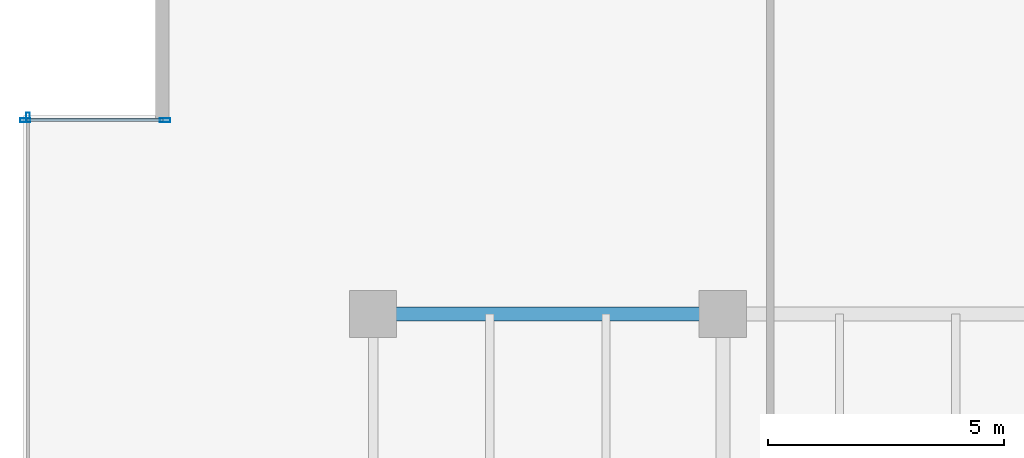
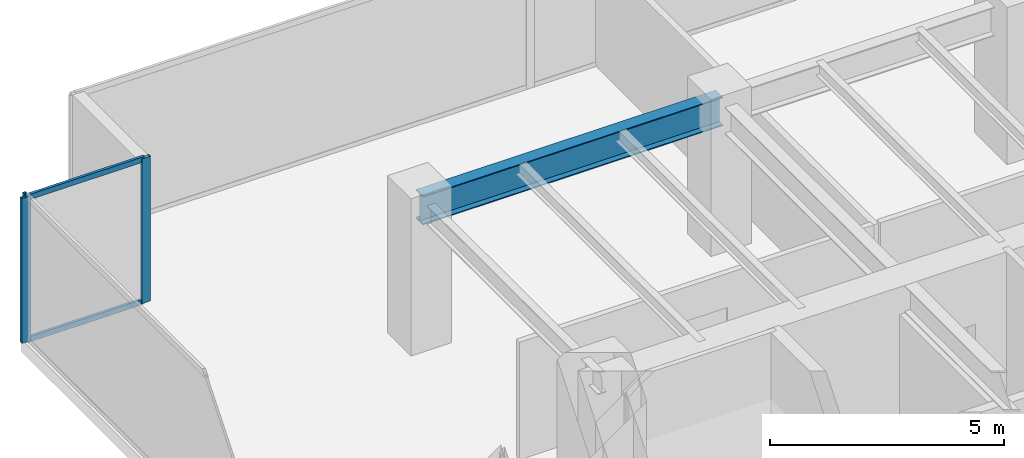
# One storey, part 12 of 35: 5 members, 1 beam, 2 elements without a shape of their own.
"""IFC4 building model written with IfcOpenShell, lengths in metres."""

from ifc_helpers import new_model, si_unit, direction, frame, origin, origin_2d, place, context, subcontext, project, spatial, hollow_rectangle, i_section, extrude, source, transform, mapped, material, layer, layer_set, material_profile, profile_set, type_object, type_shapes, element, aggregate, save


model = new_model("IFC4")

# Units and contexts
model_context = context("Model", 3, precision=1e-05, world=origin(), true_north=direction((0.0, 1.0)))
body_context = subcontext(model_context, "Body", "Model", "MODEL_VIEW")
ifc_project = project(units=[si_unit("LENGTHUNIT", "METRE"), si_unit("AREAUNIT", "SQUARE_METRE"), si_unit("VOLUMEUNIT", "CUBIC_METRE"), si_unit("PLANEANGLEUNIT", "RADIAN"), si_unit("MASSUNIT", "GRAM", prefix="KILO")], contexts=[model_context])

# Site, building, storey
site_placement = place(None, origin())
site = spatial("IfcSite", under=ifc_project, at=site_placement, CompositionType="ELEMENT")
building_placement = place(site_placement, origin())
building = spatial("IfcBuilding", under=site, at=building_placement, Name="Haelvirn Gate Laboratories", CompositionType="ELEMENT")
storey_placement = place(building_placement, frame((0.0, 0.0, 37.5)))
storey = spatial("IfcBuildingStorey", under=building, at=storey_placement, Name="L09", CompositionType="ELEMENT", Elevation=37.5)

# Beam
ifc_material_1 = material(Name="Steel SM355", Category="steel")
ifc_material_profile_1 = material_profile(ifc_material_1, i_section(OverallWidth=0.300048828125, OverallDepth=0.75, WebThickness=0.013916015625, FlangeThickness=0.02392578125, at=origin_2d()), Name="H-750x300x14x24")
ifc_profile_set_1 = profile_set([ifc_material_profile_1], Name="Steel SM355")
beam_type = type_object("IfcBeamType", Name="BM-G-750", PredefinedType="BEAM", material=ifc_profile_set_1)
shared_shape_1 = source(origin(), body_context, "Body", "SweptSolid", [
    extrude(i_section(OverallWidth=0.300048828125, OverallDepth=0.75, WebThickness=0.013916015625, FlangeThickness=0.02392578125, at=origin_2d()), origin(), (0.0, 0.0, 1.0), 7.400146484375),
])
type_shapes(beam_type, [shared_shape_1])
beam_placement = place(storey_placement, frame((7.39990234375, 41.60009765625, 3.405029296875), z_axis=(1.0, 0.0, 0.0), x_axis=(0.0, 1.0, 0.0)))
element("IfcBeam", 1, at=beam_placement, inside=storey, type_object=beam_type, Name="L09 Primary Girder Y41.6 (7.4-14.8)", PredefinedType="BEAM", context=body_context, shape_type="MappedRepresentation", body=[
    mapped(shared_shape_1, transform((0.0, 0.0, 0.0), scale=1.0)),
])

# Curtain wall, member
ifc_material_2 = material(Name="Anodised bronze unitised aluminium & triple low-E glass", Category="aluminium")
ifc_layer_1 = layer(ifc_material_2, 0.18408203125, Name="CW-SYS-2")
ifc_layer_set_1 = layer_set([ifc_layer_1], Name="Anodised bronze unitised aluminium & triple low-E glass")
curtain_wall_type_1 = type_object("IfcCurtainWallType", Name="CW-SYS-2", PredefinedType="NOTDEFINED", material=ifc_layer_set_1)
curtain_wall_1_placement = place(storey_placement, origin())
curtain_wall_1 = element("IfcCurtainWall", 2, at=curtain_wall_1_placement, inside=storey, type_object=curtain_wall_type_1, Name="L09 Unitised Curtain Wall CW-L09-P0-E17", PredefinedType="NOTDEFINED")
ifc_material_3 = material(Name="Extruded aluminium 6063-T6 (anodised bronze)", Category="aluminium")
ifc_material_profile_2 = material_profile(ifc_material_3, hollow_rectangle(XDim=0.074951171875, YDim=0.199951171875, WallThickness=0.0048828125, at=origin_2d()), Name="CWM-200x75x5")
ifc_profile_set_2 = profile_set([ifc_material_profile_2], Name="Extruded aluminium 6063-T6 (anodised bronze)")
member_type_1 = type_object("IfcMemberType", Name="CWM-T200", PredefinedType="MULLION", material=ifc_profile_set_2)
shared_shape_2 = source(origin(), body_context, "Body", "SweptSolid", [
    extrude(hollow_rectangle(XDim=0.074951171875, YDim=0.199951171875, WallThickness=0.0048828125, at=origin_2d()), origin(), (0.0, 0.0, 1.0), 3.780029296875),
])
type_shapes(member_type_1, [shared_shape_2])
member_1_placement = place(storey_placement, frame((0.10009765625, 45.762451171875, 0.0), z_axis=(0.0, 0.0, 1.0), x_axis=(1.0, 0.0, 0.0)))
member_1 = element("IfcMember", 3, at=member_1_placement, type_object=member_type_1, Name="CW2 mullion 1", PredefinedType="MULLION", context=body_context, shape_type="MappedRepresentation", body=[
    mapped(shared_shape_2, transform((0.0, 0.0, 0.0), scale=1.0)),
])
aggregate(curtain_wall_1, [member_1])

# Curtain wall, members
ifc_layer_2 = layer(ifc_material_2, 0.181884765625, Name="CW-SYS-5")
ifc_layer_set_2 = layer_set([ifc_layer_2], Name="Anodised bronze unitised aluminium & triple low-E glass")
curtain_wall_type_2 = type_object("IfcCurtainWallType", Name="CW-SYS-5", PredefinedType="NOTDEFINED", material=ifc_layer_set_2)
curtain_wall_2_placement = place(storey_placement, origin())
curtain_wall_2 = element("IfcCurtainWall", 4, at=curtain_wall_2_placement, inside=storey, type_object=curtain_wall_type_2, Name="L09 Unitised Curtain Wall CW-L09-P0-E16-1", PredefinedType="NOTDEFINED")
ifc_material_profile_3 = material_profile(ifc_material_3, hollow_rectangle(XDim=0.080078125, YDim=0.219970703125, WallThickness=0.006103515625, at=origin_2d()), Name="CWM-220x80x6")
ifc_profile_set_3 = profile_set([ifc_material_profile_3], Name="Extruded aluminium 6063-T6 (anodised bronze)")
member_type_2 = type_object("IfcMemberType", Name="CWM-T220", PredefinedType="MULLION", material=ifc_profile_set_3)
shared_shape_3 = source(origin(), body_context, "Body", "SweptSolid", [
    extrude(hollow_rectangle(XDim=0.080078125, YDim=0.219970703125, WallThickness=0.006103515625, at=origin_2d()), origin(), (0.0, 0.0, 1.0), 3.780029296875),
])
type_shapes(member_type_2, [shared_shape_3])
member_2_placement = place(storey_placement, frame((0.0400390625, 45.699951171875, 0.0), z_axis=(0.0, 0.0, 1.0), x_axis=(0.0, 1.0, 0.0)))
member_2 = element("IfcMember", 5, at=member_2_placement, type_object=member_type_2, Name="CW5 mullion 1", PredefinedType="MULLION", context=body_context, shape_type="MappedRepresentation", body=[
    mapped(shared_shape_3, transform((0.0, 0.0, 0.0), scale=1.0)),
])
member_3_placement = place(storey_placement, frame((3.0, 45.699951171875, 0.0), z_axis=(0.0, 0.0, 1.0), x_axis=(0.0, 1.0, 0.0)))
member_3 = element("IfcMember", 6, at=member_3_placement, type_object=member_type_2, Name="CW5 mullion 2", PredefinedType="MULLION", context=body_context, shape_type="MappedRepresentation", body=[
    mapped(shared_shape_3, transform((0.0, 0.0, 0.0), scale=1.0)),
])
ifc_material_profile_4 = material_profile(ifc_material_3, hollow_rectangle(XDim=0.06494140625, YDim=0.139892578125, WallThickness=0.00390625, at=origin_2d()), Name="CWT-140x65x4")
ifc_profile_set_4 = profile_set([ifc_material_profile_4], Name="Extruded aluminium 6063-T6 (anodised bronze)")
member_type_3 = type_object("IfcMemberType", Name="CWT-T140", PredefinedType="USERDEFINED", material=ifc_profile_set_4)
shared_shape_4 = source(origin(), body_context, "Body", "SweptSolid", [
    extrude(hollow_rectangle(XDim=0.06494140625, YDim=0.139892578125, WallThickness=0.00390625, at=origin_2d()), origin(), (0.0, 0.0, 1.0), 2.8798828125),
])
type_shapes(member_type_3, [shared_shape_4])
member_4_placement = place(storey_placement, frame((0.080078125, 45.699951171875, 0.032470703125), z_axis=(1.0, 0.0, 0.0), x_axis=(0.0, 1.0, 0.0)))
member_4 = element("IfcMember", 7, at=member_4_placement, type_object=member_type_3, Name="CW5 transom 1.1", ObjectType="TRANSOM", PredefinedType="USERDEFINED", context=body_context, shape_type="MappedRepresentation", body=[
    mapped(shared_shape_4, transform((0.0, 0.0, 0.0), scale=1.0)),
])
member_5_placement = place(storey_placement, frame((0.080078125, 45.699951171875, 3.74755859375), z_axis=(1.0, 0.0, 0.0), x_axis=(0.0, 1.0, 0.0)))
member_5 = element("IfcMember", 8, at=member_5_placement, type_object=member_type_3, Name="CW5 transom 1.2", ObjectType="TRANSOM", PredefinedType="USERDEFINED", context=body_context, shape_type="MappedRepresentation", body=[
    mapped(shared_shape_4, transform((0.0, 0.0, 0.0), scale=1.0)),
])
aggregate(curtain_wall_2, [member_2, member_3, member_4, member_5])

save(model, "model.ifc")
